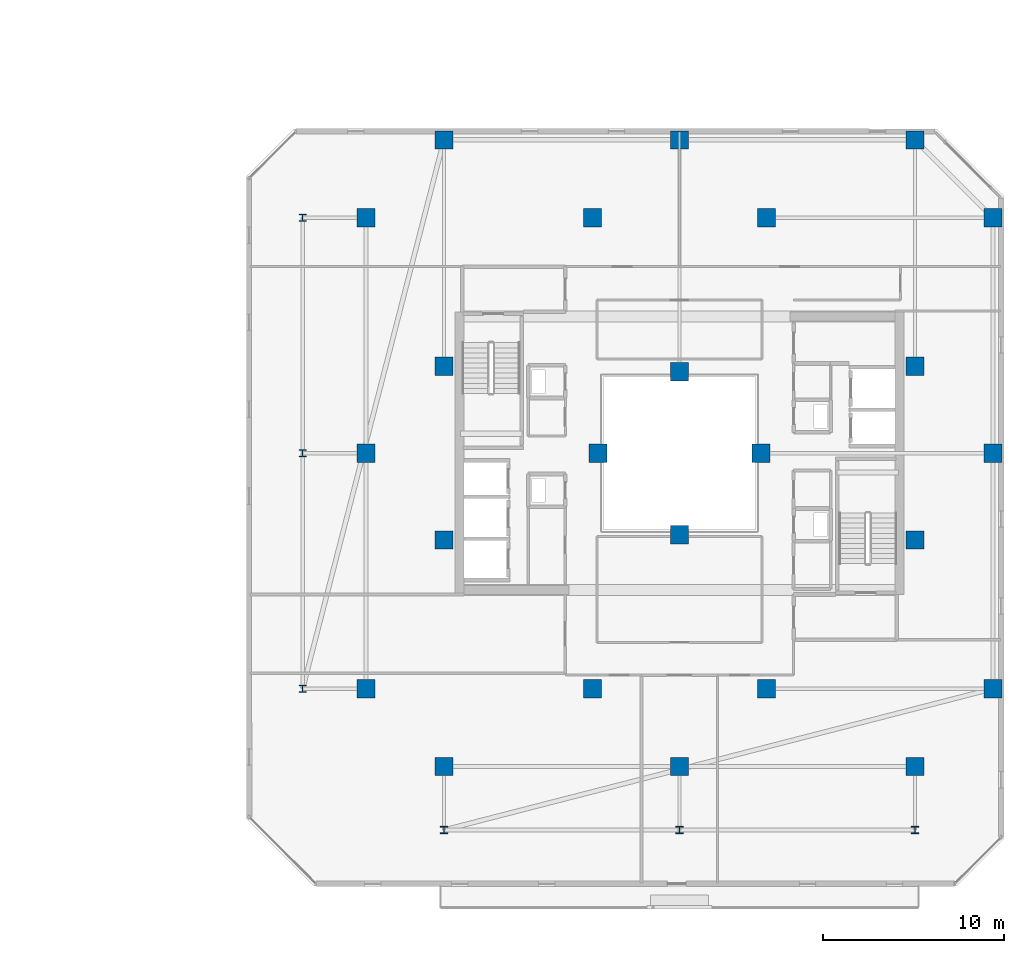
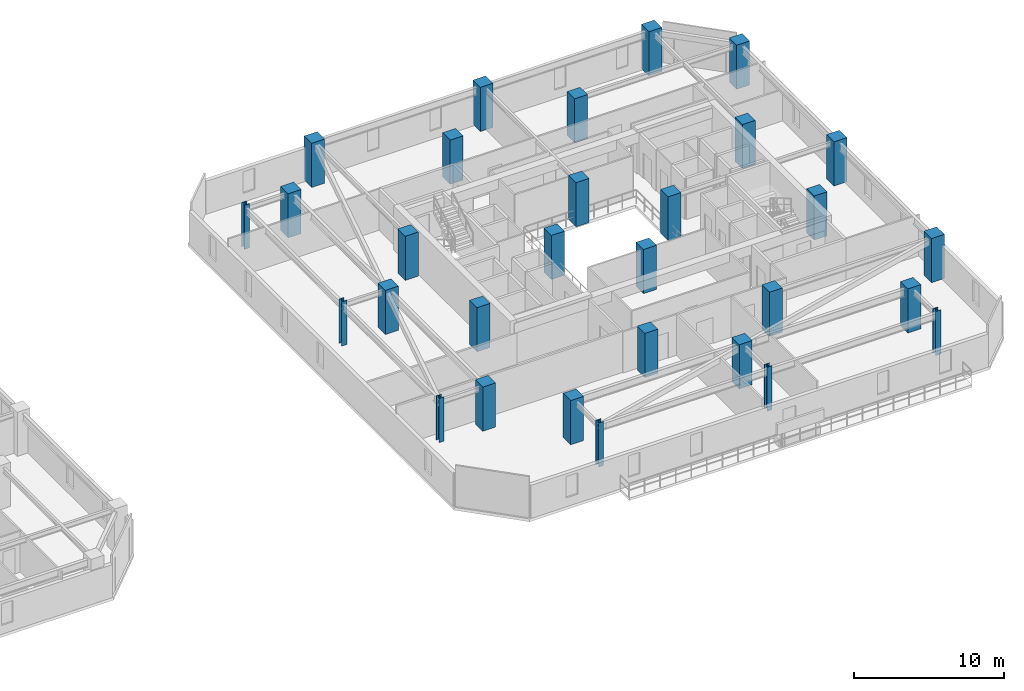
# One storey, part 2 of 33: 30 columns.
"""IFC4 building model written with IfcOpenShell, lengths in metres."""

from ifc_helpers import new_model, si_unit, direction, frame, origin, origin_2d, place, context, subcontext, project, spatial, rectangle, i_section, extrude, material, material_profile, profile_set, type_object, element, save


model = new_model("IFC4")

# Units and contexts
model_context = context("Model", 3, precision=1e-05, world=origin(), true_north=direction((0.0, 1.0)))
body_context = subcontext(model_context, "Body", "Model", "MODEL_VIEW")
ifc_project = project(units=[si_unit("LENGTHUNIT", "METRE"), si_unit("AREAUNIT", "SQUARE_METRE"), si_unit("VOLUMEUNIT", "CUBIC_METRE"), si_unit("PLANEANGLEUNIT", "RADIAN"), si_unit("MASSUNIT", "GRAM", prefix="KILO")], contexts=[model_context])

# Site, building, storey
site_placement = place(None, origin())
site = spatial("IfcSite", under=ifc_project, at=site_placement, CompositionType="ELEMENT")
building_placement = place(site_placement, origin())
building = spatial("IfcBuilding", under=site, at=building_placement, Name="Thornwick Lancets Civic Towers", CompositionType="ELEMENT")
storey_placement = place(building_placement, frame((0.0, 0.0, 207.300048828125)))
storey = spatial("IfcBuildingStorey", under=building, at=storey_placement, Name="L55", CompositionType="ELEMENT", Elevation=207.300048828125)

# Columns
ifc_material_1 = material(Name="Concrete C50/60", Category="concrete")
ifc_material_profile_1 = material_profile(ifc_material_1, rectangle(XDim=1.0, YDim=1.0, at=origin_2d()), Name="RC 1000x1000")
ifc_profile_set_1 = profile_set([ifc_material_profile_1], Name="Concrete C50/60")
column_type_1 = type_object("IfcColumnType", Name="COL_RC_1000", PredefinedType="COLUMN", material=ifc_profile_set_1)
for number, where, z_axis, x_axis, name in (
    (1, (105.800048828125, 14.0, 0.0), (0.0, 0.0, 1.0), (1.0, 0.0, 0.0), "L55 Spine Mega-Column B01"),
    (2, (105.800048828125, 27.0, 0.0), (0.0, 0.0, 1.0), (1.0, 0.0, 0.0), "L55 Spine Mega-Column B02"),
    (3, (105.800048828125, 40.0, 0.0), (0.0, 0.0, 1.0), (1.0, 0.0, 0.0), "L55 Spine Mega-Column B03"),
    (4, (101.5, 44.300048828125, 0.0), (0.0, 0.0, 1.0), (1.0, 0.0, 0.0), "L55 Spine Mega-Column B04"),
    (5, (88.5, 44.300048828125, 0.0), (0.0, 0.0, 1.0), (1.0, 0.0, 0.0), "L55 Spine Mega-Column B05"),
    (6, (75.5, 44.300048828125, 0.0), (0.0, 0.0, 1.0), (1.0, 0.0, 0.0), "L55 Spine Mega-Column B06"),
    (7, (71.199951171875, 14.0, 0.0), (0.0, 0.0, 1.0), (1.0, 0.0, 0.0), "L55 Spine Mega-Column B07"),
    (8, (71.199951171875, 27.0, 0.0), (0.0, 0.0, 1.0), (1.0, 0.0, 0.0), "L55 Spine Mega-Column B08"),
    (9, (71.199951171875, 40.0, 0.0), (0.0, 0.0, 1.0), (1.0, 0.0, 0.0), "L55 Spine Mega-Column B09"),
    (10, (101.5, 9.699951171875, 0.0), (0.0, 0.0, 1.0), (1.0, 0.0, 0.0), "L55 Spine Mega-Column B10"),
    (11, (88.5, 9.699951171875, 0.0), (0.0, 0.0, 1.0), (1.0, 0.0, 0.0), "L55 Spine Mega-Column B11"),
    (12, (75.5, 9.699951171875, 0.0), (0.0, 0.0, 1.0), (1.0, 0.0, 0.0), "L55 Spine Mega-Column B12"),
    (13, (93.300048828125, 14.0, 0.0), (0.0, 0.0, 1.0), (1.0, 0.0, 0.0), "L55 Spine Mega-Column B13"),
    (14, (93.300048828125, 40.0, 0.0), (0.0, 0.0, 1.0), (1.0, 0.0, 0.0), "L55 Spine Mega-Column B14"),
    (15, (83.699951171875, 14.0, 0.0), (0.0, 0.0, 1.0), (1.0, 0.0, 0.0), "L55 Spine Mega-Column B15"),
    (16, (83.699951171875, 40.0, 0.0), (0.0, 0.0, 1.0), (1.0, 0.0, 0.0), "L55 Spine Mega-Column B16"),
    (17, (101.5, 22.199951171875, 0.0), (0.0, 0.0, 1.0), (1.0, 0.0, 0.0), "L55 Spine Mega-Column B17"),
    (18, (101.5, 31.800048828125, 0.0), (0.0, 0.0, 1.0), (1.0, 0.0, 0.0), "L55 Spine Mega-Column B18"),
    (19, (75.5, 22.199951171875, 0.0), (0.0, 0.0, 1.0), (1.0, 0.0, 0.0), "L55 Spine Mega-Column B19"),
    (20, (75.5, 31.800048828125, 0.0), (0.0, 0.0, 1.0), (1.0, 0.0, 0.0), "L55 Spine Mega-Column B20"),
    (21, (93.0, 27.0, 0.0), (0.0, 0.0, 1.0), (1.0, 0.0, 0.0), "L55 Spine Mega-Column B21"),
    (22, (84.0, 27.0, 0.0), (0.0, 0.0, 1.0), (1.0, 0.0, 0.0), "L55 Spine Mega-Column B22"),
    (23, (88.5, 22.5, 0.0), (0.0, 0.0, 1.0), (1.0, 0.0, 0.0), "L55 Spine Mega-Column B23"),
    (24, (88.5, 31.5, 0.0), (0.0, 0.0, 1.0), (1.0, 0.0, 0.0), "L55 Spine Mega-Column B24"),
):
    element("IfcColumn", number, at=place(storey_placement, frame(where, z_axis=z_axis, x_axis=x_axis)), inside=storey, type_object=column_type_1, Name=name, PredefinedType="COLUMN", context=body_context, shape_type="SweptSolid", body=[
        extrude(rectangle(XDim=1.0, YDim=1.0, at=origin_2d()), origin(), (0.0, 0.0, 1.0), 3.599853515625),
    ])
ifc_material_2 = material(Name="Steel S355JR", Category="steel")
ifc_material_profile_2 = material_profile(ifc_material_2, i_section(OverallWidth=0.39892578125, OverallDepth=0.3935546875, WebThickness=0.022705078125, FlangeThickness=0.03662109375, FilletRadius=0.01513671875, at=origin_2d()), Name="UKC 356x406x287")
ifc_profile_set_2 = profile_set([ifc_material_profile_2], Name="Steel S355JR")
column_type_2 = type_object("IfcColumnType", Name="COL_UKC_287", PredefinedType="COLUMN", material=ifc_profile_set_2)
for number, where, z_axis, x_axis, name in (
    (25, (67.699951171875, 14.0, 0.0), (0.0, 0.0, 1.0), (1.0, 0.0, 0.0), "L55 Block Perimeter Column B07"),
    (26, (67.699951171875, 27.0, 0.0), (0.0, 0.0, 1.0), (1.0, 0.0, 0.0), "L55 Block Perimeter Column B08"),
    (27, (67.699951171875, 40.0, 0.0), (0.0, 0.0, 1.0), (1.0, 0.0, 0.0), "L55 Block Perimeter Column B09"),
    (28, (101.5, 6.199951171875, 0.0), (0.0, 0.0, 1.0), (1.0, 0.0, 0.0), "L55 Block Perimeter Column B10"),
    (29, (88.5, 6.199951171875, 0.0), (0.0, 0.0, 1.0), (1.0, 0.0, 0.0), "L55 Block Perimeter Column B11"),
    (30, (75.5, 6.199951171875, 0.0), (0.0, 0.0, 1.0), (1.0, 0.0, 0.0), "L55 Block Perimeter Column B12"),
):
    element("IfcColumn", number, at=place(storey_placement, frame(where, z_axis=z_axis, x_axis=x_axis)), inside=storey, type_object=column_type_2, Name=name, PredefinedType="COLUMN", context=body_context, shape_type="SweptSolid", body=[
        extrude(i_section(OverallWidth=0.39892578125, OverallDepth=0.3935546875, WebThickness=0.022705078125, FlangeThickness=0.03662109375, FilletRadius=0.01513671875, at=origin_2d()), origin(), (0.0, 0.0, 1.0), 3.599853515625),
    ])

save(model, "model.ifc")
